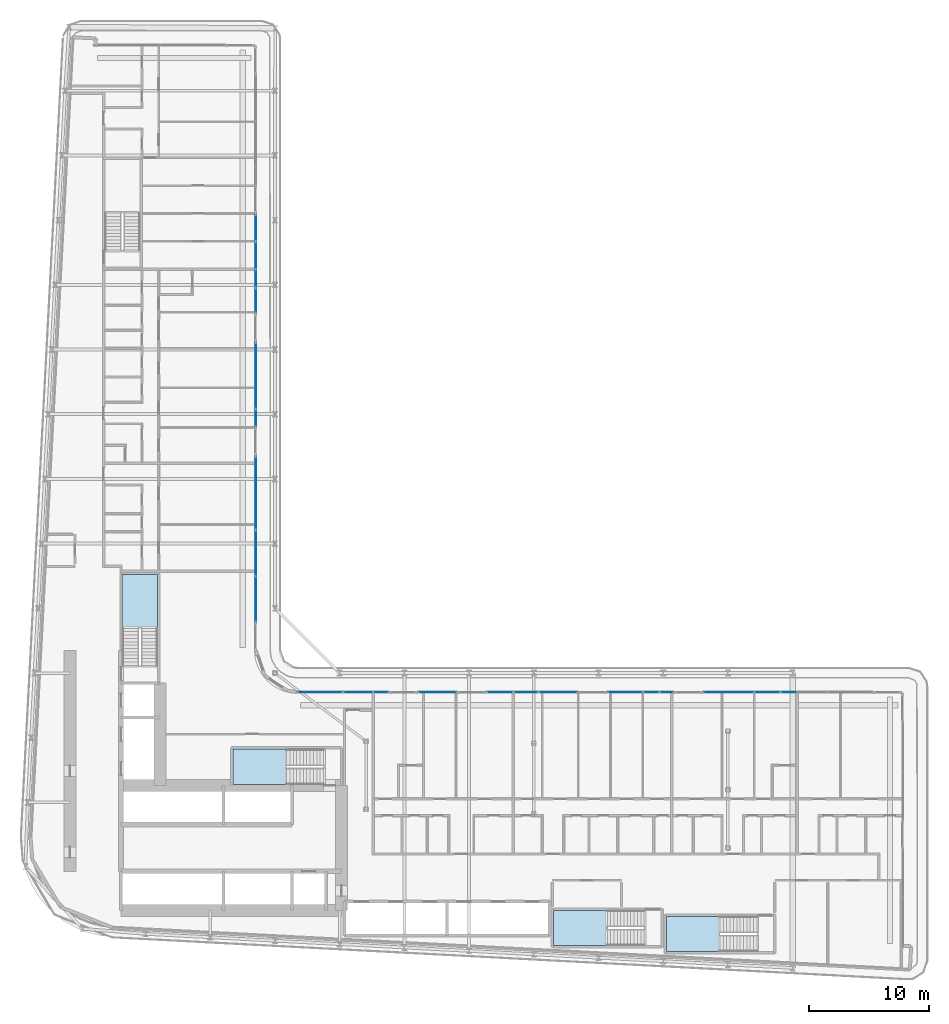
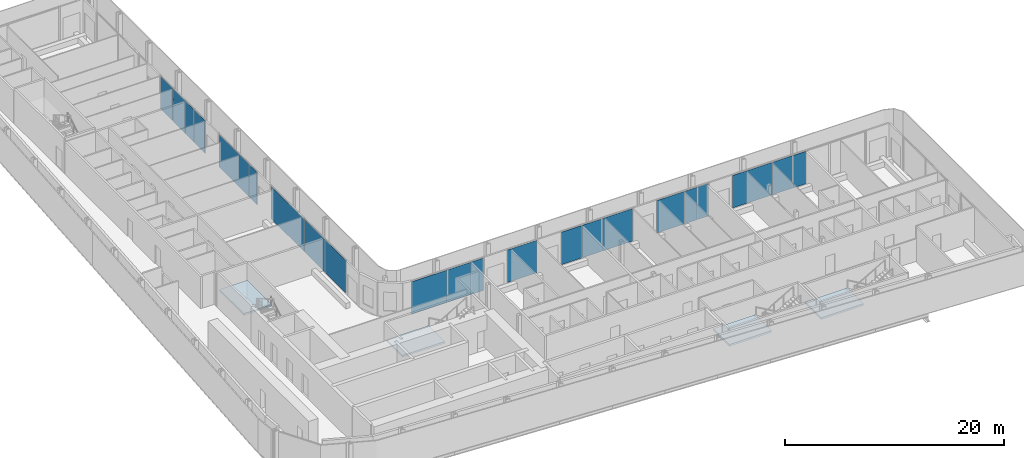
# One storey, part 10 of 28: 22 plates, 4 slabs, 18 elements without a shape of their own.
"""IFC4 building model written with IfcOpenShell, lengths in metres."""

from ifc_helpers import new_model, si_unit, direction, frame, origin, origin_2d, place, context, subcontext, project, spatial, polyline, rectangle, outline, extrude, material, layer, layer_set, type_object, element, aggregate, save


model = new_model("IFC4")

# Units and contexts
model_context = context("Model", 3, precision=1e-05, world=origin(), true_north=direction((0.0, 1.0)))
body_context = subcontext(model_context, "Body", "Model", "MODEL_VIEW")
ifc_project = project(units=[si_unit("LENGTHUNIT", "METRE"), si_unit("AREAUNIT", "SQUARE_METRE"), si_unit("VOLUMEUNIT", "CUBIC_METRE"), si_unit("PLANEANGLEUNIT", "RADIAN"), si_unit("MASSUNIT", "GRAM", prefix="KILO")], contexts=[model_context])

# Site, building, storey
site_placement = place(None, origin())
site = spatial("IfcSite", under=ifc_project, at=site_placement, CompositionType="ELEMENT")
building_placement = place(site_placement, origin())
building = spatial("IfcBuilding", under=site, at=building_placement, Name="Kheshtan School and Residences Tower", CompositionType="ELEMENT")
storey_placement = place(building_placement, frame((0.0, 0.0, 73.39990234375)))
storey = spatial("IfcBuildingStorey", under=building, at=storey_placement, Name="L17", CompositionType="ELEMENT", Elevation=73.39990234375)

# Curtain wall, plates
ifc_material_1 = material(Name="Clear low-e glass in thermally broken aluminium frame", Category="aluminium")
ifc_layer_1 = layer(ifc_material_1, 0.199951171875)
ifc_layer_set_1 = layer_set([ifc_layer_1], Name="Curtain wall CW-L")
curtain_wall_type = type_object("IfcCurtainWallType", Name="Curtain wall CW-L", PredefinedType="NOTDEFINED", material=ifc_layer_set_1)
curtain_wall_1_placement = place(storey_placement, origin())
curtain_wall_1 = element("IfcCurtainWall", 1, at=curtain_wall_1_placement, inside=storey, type_object=curtain_wall_type, Name="Curtain wall CWL8b", PredefinedType="NOTDEFINED")
ifc_layer_2 = layer(ifc_material_1, 0.031982421875)
ifc_layer_set_2 = layer_set([ifc_layer_2], Name="CW-L glass panel")
plate_type = type_object("IfcPlateType", Name="CW-L glass panel", PredefinedType="CURTAIN_PANEL", material=ifc_layer_set_2)
plate_1_placement = place(storey_placement, frame((46.0, 82.75048828125, 0.000244140625), z_axis=(0.0, 0.0, 1.0), x_axis=(0.0, -1.0, 0.0)))
plate_1 = element("IfcPlate", 2, at=plate_1_placement, type_object=plate_type, Name="CWL8b panel 1.1", PredefinedType="CURTAIN_PANEL", context=body_context, shape_type="SweptSolid", body=[
    extrude(rectangle(XDim=2.19091796875, YDim=0.031982421875, at=origin_2d()), origin(), (0.0, 0.0, 1.0), 3.6298828125),
])
plate_2_placement = place(storey_placement, frame((46.0, 80.46240234375, 0.000244140625), z_axis=(0.0, 0.0, 1.0), x_axis=(0.0, -1.0, 0.0)))
plate_2 = element("IfcPlate", 3, at=plate_2_placement, type_object=plate_type, Name="CWL8b panel 2.1", PredefinedType="CURTAIN_PANEL", context=body_context, shape_type="SweptSolid", body=[
    extrude(rectangle(XDim=2.264892578125, YDim=0.031982421875, at=origin_2d()), origin(), (0.0, 0.0, 1.0), 3.6298828125),
])
plate_3_placement = place(storey_placement, frame((46.0, 78.52099609375, 0.000244140625), z_axis=(0.0, 0.0, 1.0), x_axis=(0.0, -1.0, 0.0)))
plate_3 = element("IfcPlate", 4, at=plate_3_placement, type_object=plate_type, Name="CWL8b panel 3.1", PredefinedType="CURTAIN_PANEL", context=body_context, shape_type="SweptSolid", body=[
    extrude(rectangle(XDim=1.498046875, YDim=0.031982421875, at=origin_2d()), origin(), (0.0, 0.0, 1.0), 3.6298828125),
])
aggregate(curtain_wall_1, [plate_1, plate_2, plate_3])

# Curtain wall, plate
curtain_wall_2_placement = place(storey_placement, origin())
curtain_wall_2 = element("IfcCurtainWall", 5, at=curtain_wall_2_placement, inside=storey, type_object=curtain_wall_type, Name="Curtain wall CWL8i", PredefinedType="NOTDEFINED")
plate_4_placement = place(storey_placement, frame((46.0, 76.69189453125, 0.000244140625), z_axis=(0.0, 0.0, 1.0), x_axis=(0.0, -1.0, 0.0)))
plate_4 = element("IfcPlate", 6, at=plate_4_placement, type_object=plate_type, Name="CWL8i panel 1.1", PredefinedType="CURTAIN_PANEL", context=body_context, shape_type="SweptSolid", body=[
    extrude(rectangle(XDim=2.0400390625, YDim=0.031982421875, at=origin_2d()), origin(), (0.0, 0.0, 1.0), 3.6298828125),
])
aggregate(curtain_wall_2, [plate_4])

curtain_wall_3_placement = place(storey_placement, origin())
curtain_wall_3 = element("IfcCurtainWall", 7, at=curtain_wall_3_placement, inside=storey, type_object=curtain_wall_type, Name="Curtain wall CWL8j", PredefinedType="NOTDEFINED")
plate_5_placement = place(storey_placement, frame((46.0, 70.4150390625, 0.000244140625), z_axis=(0.0, 0.0, 1.0), x_axis=(0.0, -1.0, 0.0)))
plate_5 = element("IfcPlate", 8, at=plate_5_placement, type_object=plate_type, Name="CWL8j panel 1.1", PredefinedType="CURTAIN_PANEL", context=body_context, shape_type="SweptSolid", body=[
    extrude(rectangle(XDim=5.47412109375, YDim=0.031982421875, at=origin_2d()), origin(), (0.0, 0.0, 1.0), 3.6298828125),
])
aggregate(curtain_wall_3, [plate_5])

curtain_wall_4_placement = place(storey_placement, origin())
curtain_wall_4 = element("IfcCurtainWall", 9, at=curtain_wall_4_placement, inside=storey, type_object=curtain_wall_type, Name="Curtain wall CWL8a", PredefinedType="NOTDEFINED")
plate_6_placement = place(storey_placement, frame((46.0, 66.89794921875, 0.000244140625), z_axis=(0.0, 0.0, 1.0), x_axis=(0.0, -1.0, 0.0)))
plate_6 = element("IfcPlate", 10, at=plate_6_placement, type_object=plate_type, Name="CWL8a panel 1.1", PredefinedType="CURTAIN_PANEL", context=body_context, shape_type="SweptSolid", body=[
    extrude(rectangle(XDim=1.43994140625, YDim=0.031982421875, at=origin_2d()), origin(), (0.0, 0.0, 1.0), 3.6298828125),
])
aggregate(curtain_wall_4, [plate_6])

curtain_wall_5_placement = place(storey_placement, origin())
curtain_wall_5 = element("IfcCurtainWall", 11, at=curtain_wall_5_placement, inside=storey, type_object=curtain_wall_type, Name="Curtain wall CWL8d", PredefinedType="NOTDEFINED")
plate_7_placement = place(storey_placement, frame((46.0, 60.62109375, 0.000244140625), z_axis=(0.0, 0.0, 1.0), x_axis=(0.0, -1.0, 0.0)))
plate_7 = element("IfcPlate", 12, at=plate_7_placement, type_object=plate_type, Name="CWL8d panel 1.1", PredefinedType="CURTAIN_PANEL", context=body_context, shape_type="SweptSolid", body=[
    extrude(rectangle(XDim=6.073974609375, YDim=0.031982421875, at=origin_2d()), origin(), (0.0, 0.0, 1.0), 3.6298828125),
])
aggregate(curtain_wall_5, [plate_7])

# Curtain wall, plates
curtain_wall_6_placement = place(storey_placement, origin())
curtain_wall_6 = element("IfcCurtainWall", 13, at=curtain_wall_6_placement, inside=storey, type_object=curtain_wall_type, Name="Curtain wall CWL8", PredefinedType="NOTDEFINED")
plate_8_placement = place(storey_placement, frame((46.0, 55.615478515625, 0.000244140625), z_axis=(0.0, 0.0, 1.0), x_axis=(0.0, -1.0, 0.0)))
plate_8 = element("IfcPlate", 14, at=plate_8_placement, type_object=plate_type, Name="CWL8 panel 1.1", PredefinedType="CURTAIN_PANEL", context=body_context, shape_type="SweptSolid", body=[
    extrude(rectangle(XDim=3.81689453125, YDim=0.031982421875, at=origin_2d()), origin(), (0.0, 0.0, 1.0), 3.6298828125),
])
plate_9_placement = place(storey_placement, frame((46.0, 51.7685546875, 0.000244140625), z_axis=(0.0, 0.0, 1.0), x_axis=(0.0, -1.0, 0.0)))
plate_9 = element("IfcPlate", 15, at=plate_9_placement, type_object=plate_type, Name="CWL8 panel 2.1", PredefinedType="CURTAIN_PANEL", context=body_context, shape_type="SweptSolid", body=[
    extrude(rectangle(XDim=3.757080078125, YDim=0.031982421875, at=origin_2d()), origin(), (0.0, 0.0, 1.0), 3.6298828125),
])
aggregate(curtain_wall_6, [plate_8, plate_9])

curtain_wall_7_placement = place(storey_placement, origin())
curtain_wall_7 = element("IfcCurtainWall", 16, at=curtain_wall_7_placement, inside=storey, type_object=curtain_wall_type, Name="Curtain wall CWL12k", PredefinedType="NOTDEFINED")
plate_10_placement = place(storey_placement, frame((51.368408203125, 44.0, 0.000244140625), z_axis=(0.0, 0.0, 1.0), x_axis=(1.0, 0.0, 0.0)))
plate_10 = element("IfcPlate", 17, at=plate_10_placement, type_object=plate_type, Name="CWL12k panel 1.1", PredefinedType="CURTAIN_PANEL", context=body_context, shape_type="SweptSolid", body=[
    extrude(rectangle(XDim=3.757080078125, YDim=0.031982421875, at=origin_2d()), origin(), (0.0, 0.0, 1.0), 3.6298828125),
])
plate_11_placement = place(storey_placement, frame((54.53857421875, 44.0, 0.000244140625), z_axis=(0.0, 0.0, 1.0), x_axis=(1.0, 0.0, 0.0)))
plate_11 = element("IfcPlate", 18, at=plate_11_placement, type_object=plate_type, Name="CWL12k panel 2.1", PredefinedType="CURTAIN_PANEL", context=body_context, shape_type="SweptSolid", body=[
    extrude(rectangle(XDim=2.462890625, YDim=0.031982421875, at=origin_2d()), origin(), (0.0, 0.0, 1.0), 3.6298828125),
])
plate_12_placement = place(storey_placement, frame((56.447021484375, 44.0, 0.000244140625), z_axis=(0.0, 0.0, 1.0), x_axis=(1.0, 0.0, 0.0)))
plate_12 = element("IfcPlate", 19, at=plate_12_placement, type_object=plate_type, Name="CWL12k panel 3.1", PredefinedType="CURTAIN_PANEL", context=body_context, shape_type="SweptSolid", body=[
    extrude(rectangle(XDim=1.23388671875, YDim=0.031982421875, at=origin_2d()), origin(), (0.0, 0.0, 1.0), 3.6298828125),
])
aggregate(curtain_wall_7, [plate_10, plate_11, plate_12])

# Curtain wall, plate
curtain_wall_8_placement = place(storey_placement, origin())
curtain_wall_8 = element("IfcCurtainWall", 20, at=curtain_wall_8_placement, inside=storey, type_object=curtain_wall_type, Name="Curtain wall CWL12n", PredefinedType="NOTDEFINED")
plate_13_placement = place(storey_placement, frame((61.174072265625, 44.0, 0.000244140625), z_axis=(0.0, 0.0, 1.0), x_axis=(1.0, 0.0, 0.0)))
plate_13 = element("IfcPlate", 21, at=plate_13_placement, type_object=plate_type, Name="CWL12n panel 1.1", PredefinedType="CURTAIN_PANEL", context=body_context, shape_type="SweptSolid", body=[
    extrude(rectangle(XDim=3.179931640625, YDim=0.031982421875, at=origin_2d()), origin(), (0.0, 0.0, 1.0), 3.6298828125),
])
aggregate(curtain_wall_8, [plate_13])

# Curtain wall, plates
curtain_wall_9_placement = place(storey_placement, origin())
curtain_wall_9 = element("IfcCurtainWall", 22, at=curtain_wall_9_placement, inside=storey, type_object=curtain_wall_type, Name="Curtain wall CWL12o", PredefinedType="NOTDEFINED")
plate_14_placement = place(storey_placement, frame((66.376953125, 44.0, 0.000244140625), z_axis=(0.0, 0.0, 1.0), x_axis=(1.0, 0.0, 0.0)))
plate_14 = element("IfcPlate", 23, at=plate_14_placement, type_object=plate_type, Name="CWL12o panel 1.1", PredefinedType="CURTAIN_PANEL", context=body_context, shape_type="SweptSolid", body=[
    extrude(rectangle(XDim=2.18603515625, YDim=0.031982421875, at=origin_2d()), origin(), (0.0, 0.0, 1.0), 3.6298828125),
])
plate_15_placement = place(storey_placement, frame((68.5439453125, 44.0, 0.000244140625), z_axis=(0.0, 0.0, 1.0), x_axis=(1.0, 0.0, 0.0)))
plate_15 = element("IfcPlate", 24, at=plate_15_placement, type_object=plate_type, Name="CWL12o panel 2.1", PredefinedType="CURTAIN_PANEL", context=body_context, shape_type="SweptSolid", body=[
    extrude(rectangle(XDim=2.028076171875, YDim=0.031982421875, at=origin_2d()), origin(), (0.0, 0.0, 1.0), 3.6298828125),
])
aggregate(curtain_wall_9, [plate_14, plate_15])

# Curtain wall, plate
curtain_wall_10_placement = place(storey_placement, origin())
curtain_wall_10 = element("IfcCurtainWall", 25, at=curtain_wall_10_placement, inside=storey, type_object=curtain_wall_type, Name="Curtain wall CWL12n", PredefinedType="NOTDEFINED")
plate_16_placement = place(storey_placement, frame((71.238037109375, 44.0, 0.000244140625), z_axis=(0.0, 0.0, 1.0), x_axis=(1.0, 0.0, 0.0)))
plate_16 = element("IfcPlate", 26, at=plate_16_placement, type_object=plate_type, Name="CWL12n panel 1.1", PredefinedType="CURTAIN_PANEL", context=body_context, shape_type="SweptSolid", body=[
    extrude(rectangle(XDim=3.239990234375, YDim=0.031982421875, at=origin_2d()), origin(), (0.0, 0.0, 1.0), 3.6298828125),
])
aggregate(curtain_wall_10, [plate_16])

# Curtain wall, plates
curtain_wall_11_placement = place(storey_placement, origin())
curtain_wall_11 = element("IfcCurtainWall", 27, at=curtain_wall_11_placement, inside=storey, type_object=curtain_wall_type, Name="Curtain wall CWL12o", PredefinedType="NOTDEFINED")
plate_17_placement = place(storey_placement, frame((76.823974609375, 44.0, 0.000244140625), z_axis=(0.0, 0.0, 1.0), x_axis=(1.0, 0.0, 0.0)))
plate_17 = element("IfcPlate", 28, at=plate_17_placement, type_object=plate_type, Name="CWL12o panel 1.1", PredefinedType="CURTAIN_PANEL", context=body_context, shape_type="SweptSolid", body=[
    extrude(rectangle(XDim=2.89208984375, YDim=0.031982421875, at=origin_2d()), origin(), (0.0, 0.0, 1.0), 3.6298828125),
])
plate_18_placement = place(storey_placement, frame((78.990966796875, 44.0, 0.000244140625), z_axis=(0.0, 0.0, 1.0), x_axis=(1.0, 0.0, 0.0)))
plate_18 = element("IfcPlate", 29, at=plate_18_placement, type_object=plate_type, Name="CWL12o panel 2.1", PredefinedType="CURTAIN_PANEL", context=body_context, shape_type="SweptSolid", body=[
    extrude(rectangle(XDim=1.322021484375, YDim=0.031982421875, at=origin_2d()), origin(), (0.0, 0.0, 1.0), 3.6298828125),
])
aggregate(curtain_wall_11, [plate_17, plate_18])

# Curtain wall, plate
curtain_wall_12_placement = place(storey_placement, origin())
curtain_wall_12 = element("IfcCurtainWall", 30, at=curtain_wall_12_placement, inside=storey, type_object=curtain_wall_type, Name="Curtain wall CWL12b", PredefinedType="NOTDEFINED")
plate_19_placement = place(storey_placement, frame((80.281982421875, 44.0, 0.000244140625), z_axis=(0.0, 0.0, 1.0), x_axis=(1.0, 0.0, 0.0)))
plate_19 = element("IfcPlate", 31, at=plate_19_placement, type_object=plate_type, Name="CWL12b panel 1.1", PredefinedType="CURTAIN_PANEL", context=body_context, shape_type="SweptSolid", body=[
    extrude(rectangle(XDim=1.139892578125, YDim=0.031982421875, at=origin_2d()), origin(), (0.0, 0.0, 1.0), 3.6298828125),
])
aggregate(curtain_wall_12, [plate_19])

# Curtain wall, plates
curtain_wall_13_placement = place(storey_placement, origin())
curtain_wall_13 = element("IfcCurtainWall", 32, at=curtain_wall_13_placement, inside=storey, type_object=curtain_wall_type, Name="Curtain wall CWL12p", PredefinedType="NOTDEFINED")
plate_20_placement = place(storey_placement, frame((85.470947265625, 44.0, 0.000244140625), z_axis=(0.0, 0.0, 1.0), x_axis=(1.0, 0.0, 0.0)))
plate_20 = element("IfcPlate", 33, at=plate_20_placement, type_object=plate_type, Name="CWL12p panel 1.1", PredefinedType="CURTAIN_PANEL", context=body_context, shape_type="SweptSolid", body=[
    extrude(rectangle(XDim=4.197998046875, YDim=0.031982421875, at=origin_2d()), origin(), (0.0, 0.0, 1.0), 3.6298828125),
])
plate_21_placement = place(storey_placement, frame((88.68798828125, 44.0, 0.000244140625), z_axis=(0.0, 0.0, 1.0), x_axis=(1.0, 0.0, 0.0)))
plate_21 = element("IfcPlate", 34, at=plate_21_placement, type_object=plate_type, Name="CWL12p panel 2.1", PredefinedType="CURTAIN_PANEL", context=body_context, shape_type="SweptSolid", body=[
    extrude(rectangle(XDim=2.115966796875, YDim=0.031982421875, at=origin_2d()), origin(), (0.0, 0.0, 1.0), 3.6298828125),
])
aggregate(curtain_wall_13, [plate_20, plate_21])

# Curtain wall, plate
curtain_wall_14_placement = place(storey_placement, origin())
curtain_wall_14 = element("IfcCurtainWall", 35, at=curtain_wall_14_placement, inside=storey, type_object=curtain_wall_type, Name="Curtain wall CWL12k", PredefinedType="NOTDEFINED")
plate_22_placement = place(storey_placement, frame((90.488037109375, 44.0, 0.000244140625), z_axis=(0.0, 0.0, 1.0), x_axis=(1.0, 0.0, 0.0)))
plate_22 = element("IfcPlate", 36, at=plate_22_placement, type_object=plate_type, Name="CWL12k panel 1.1", PredefinedType="CURTAIN_PANEL", context=body_context, shape_type="SweptSolid", body=[
    extrude(rectangle(XDim=1.364013671875, YDim=0.031982421875, at=origin_2d()), origin(), (0.0, 0.0, 1.0), 3.6298828125),
])
aggregate(curtain_wall_14, [plate_22])

# Stair, slab
ifc_material_2 = material(Name="Concrete C40/50", Category="concrete")
stair_type = type_object("IfcStairType", Name="Exit stair, half-turn", PredefinedType="HALF_TURN_STAIR", material=ifc_material_2)
stair_1_placement = place(storey_placement, origin())
stair_1 = element("IfcStair", 37, at=stair_1_placement, inside=storey, type_object=stair_type, Name="L17 Protected Exit Stair ST1", PredefinedType="HALF_TURN_STAIR")
ifc_layer_3 = layer(ifc_material_2, 0.199951171875)
ifc_layer_set_3 = layer_set([ifc_layer_3], Name="Stair landing 200 Concrete C40/50")
slab_type = type_object("IfcSlabType", Name="Stair landing 200 Concrete C40/50", PredefinedType="LANDING", material=ifc_layer_set_3)
slab_1_placement = place(storey_placement, frame((0.0, 0.0, 1.75)))
slab_1 = element("IfcSlab", 38, at=slab_1_placement, type_object=slab_type, Name="ST1 landing 1", PredefinedType="LANDING", context=body_context, shape_type="SweptSolid", body=[
    extrude(outline(polyline([(48.570068359375, 39.25), (44.090087890625, 39.25), (44.090087890625, 36.300048828125), (48.570068359375, 36.300048828125), (48.570068359375, 39.25)])), origin(), (0.0, 0.0, 1.0), 0.2001953125),
])
aggregate(stair_1, [slab_1])

stair_2_placement = place(storey_placement, origin())
stair_2 = element("IfcStair", 39, at=stair_2_placement, inside=storey, type_object=stair_type, Name="L17 Protected Exit Stair ST2", PredefinedType="HALF_TURN_STAIR")
slab_2_placement = place(storey_placement, frame((0.0, 0.0, 1.75)))
slab_2 = element("IfcSlab", 40, at=slab_2_placement, type_object=slab_type, Name="ST2 landing 1", PredefinedType="LANDING", context=body_context, shape_type="SweptSolid", body=[
    extrude(outline(polyline([(37.800048828125, 49.330078125), (37.800048828125, 53.81005859375), (34.85009765625, 53.81005859375), (34.85009765625, 49.330078125), (37.800048828125, 49.330078125)])), origin(), (0.0, 0.0, 1.0), 0.2001953125),
])
aggregate(stair_2, [slab_2])

stair_3_placement = place(storey_placement, origin())
stair_3 = element("IfcStair", 41, at=stair_3_placement, inside=storey, type_object=stair_type, Name="L17 Protected Exit Stair ST4", PredefinedType="HALF_TURN_STAIR")
slab_3_placement = place(storey_placement, frame((0.0, 0.0, 1.75)))
slab_3 = element("IfcSlab", 42, at=slab_3_placement, type_object=slab_type, Name="ST4 landing 1", PredefinedType="LANDING", context=body_context, shape_type="SweptSolid", body=[
    extrude(outline(polyline([(84.739990234375, 25.300048828125), (80.260009765625, 25.300048828125), (80.260009765625, 22.35009765625), (84.739990234375, 22.35009765625), (84.739990234375, 25.300048828125)])), origin(), (0.0, 0.0, 1.0), 0.2001953125),
])
aggregate(stair_3, [slab_3])

stair_4_placement = place(storey_placement, origin())
stair_4 = element("IfcStair", 43, at=stair_4_placement, inside=storey, type_object=stair_type, Name="L17 Protected Exit Stair ST5", PredefinedType="HALF_TURN_STAIR")
slab_4_placement = place(storey_placement, frame((0.0, 0.0, 1.75)))
slab_4 = element("IfcSlab", 44, at=slab_4_placement, type_object=slab_type, Name="ST5 landing 1", PredefinedType="LANDING", context=body_context, shape_type="SweptSolid", body=[
    extrude(outline(polyline([(75.330078125, 25.800048828125), (70.85009765625, 25.800048828125), (70.85009765625, 22.85009765625), (75.330078125, 22.85009765625), (75.330078125, 25.800048828125)])), origin(), (0.0, 0.0, 1.0), 0.2001953125),
])
aggregate(stair_4, [slab_4])

save(model, "model.ifc")
